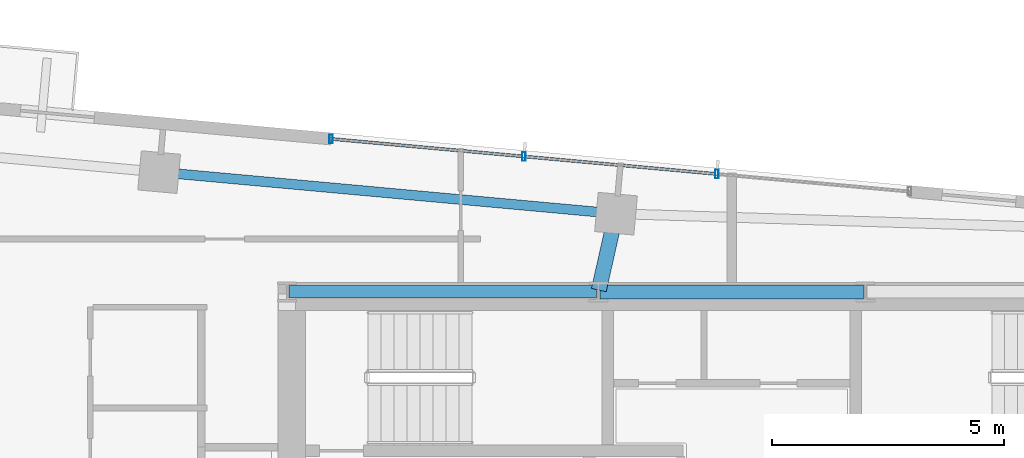
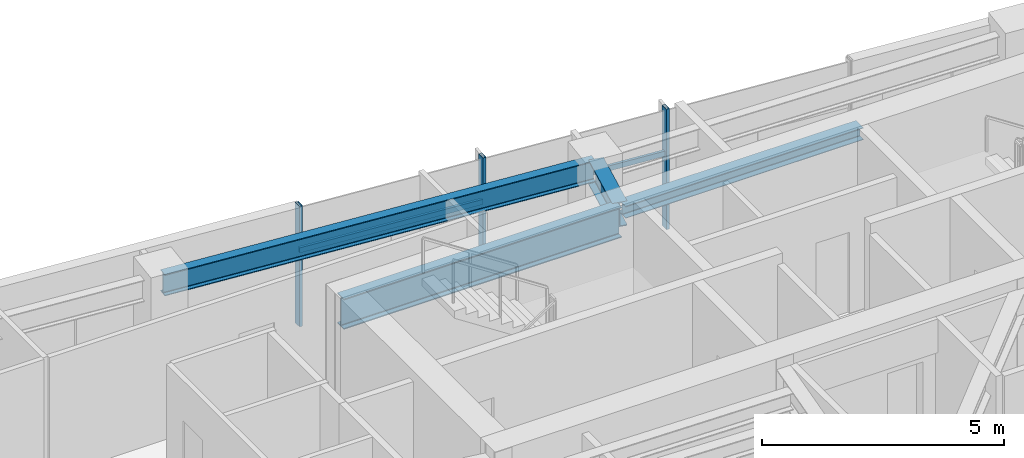
# One storey, part 10 of 22: 5 members, 4 beams, 1 element without a shape of its own.
"""IFC4 building model written with IfcOpenShell, lengths in metres."""

import ifcopenshell
import ifcopenshell.guid

model = None  # the IFC model being written
_history = None  # IfcOwnerHistory: only IFC2X3 demands one
_inside = {}  # id of a spatial element -> (the spatial element, [elements in it])
_under = {}  # id of a project, library or spatial element -> (it, [spatial elements below it])
_declared = {}  # id of a project -> (the project, [libraries it declares])
_typed = {}  # id of a type object -> (the type object, [elements of that type])
_made_of = {}  # id of a material, layer set ... -> (it, [elements and type objects made of it])


def new_model(schema):
    """Start an empty IFC model of exactly this schema.

    Asked for "IFC4X3", IfcOpenShell would pick the latest addendum, in which some entities
    have other attributes; the version numbers below select the first issue.
    IFC2X3 requires an IfcOwnerHistory on every rooted entity: one is made here for all.
    """
    global model, _history
    if schema == "IFC4X3":
        model = ifcopenshell.file(schema_version=(4, 3, 0, 0))
    else:
        model = ifcopenshell.file(schema=schema)
    _inside.clear()
    _under.clear()
    _declared.clear()
    _typed.clear()
    _made_of.clear()
    _history = None
    if model.schema == "IFC2X3":
        org = make("IfcOrganization", Name="unknown")
        user = make(
            "IfcPersonAndOrganization",
            ThePerson=make("IfcPerson", FamilyName="unknown"),
            TheOrganization=org,
        )
        app = make(
            "IfcApplication",
            ApplicationDeveloper=org,
            Version="unknown",
            ApplicationFullName="unknown",
            ApplicationIdentifier="unknown",
        )
        _history = make(
            "IfcOwnerHistory",
            OwningUser=user,
            OwningApplication=app,
            ChangeAction="ADDED",
            CreationDate=0,
        )
    return model


def make(cls, **values):
    """One entity of the class cls with the attributes given. An attribute that is None is left unset."""
    return model.create_entity(
        cls, **{name: value for name, value in values.items() if value is not None}
    )


def rooted(cls, **values):
    """An entity with a GlobalId (a new one), such as an element, a storey or a relation."""
    return make(cls, GlobalId=ifcopenshell.guid.new(), OwnerHistory=_history, **values)


def si_unit(unit_type, name, prefix=None):
    """IfcSIUnit, for example si_unit("LENGTHUNIT", "METRE", prefix="MILLI")."""
    return make("IfcSIUnit", UnitType=unit_type, Prefix=prefix, Name=name)


def assignment(units):
    """IfcUnitAssignment: the units of a project."""
    return None if units is None else make("IfcUnitAssignment", Units=units)


def point(xyz):
    """IfcCartesianPoint."""
    return None if xyz is None else make("IfcCartesianPoint", Coordinates=xyz)


def direction(xyz):
    """IfcDirection."""
    return None if xyz is None else make("IfcDirection", DirectionRatios=xyz)


def frame(location, z_axis=None, x_axis=None):
    """IfcAxis2Placement3D, a coordinate frame: its origin and axes. An axis left out is left unset."""
    return make(
        "IfcAxis2Placement3D",
        Location=point(location),
        Axis=direction(z_axis),
        RefDirection=direction(x_axis),
    )


def frame_2d(location, x_axis=None):
    """IfcAxis2Placement2D, a coordinate frame in the plane: its origin and x axis."""
    return make(
        "IfcAxis2Placement2D", Location=point(location), RefDirection=direction(x_axis)
    )


def origin():
    """The frame at (0, 0, 0) with its axes left unset."""
    return frame((0.0, 0.0, 0.0))


def origin_2d():
    """The frame at (0, 0) in the plane with its x axis left unset."""
    return frame_2d((0.0, 0.0))


def place(relative_to, where):
    """IfcLocalPlacement: puts the frame where relative to a parent placement (None: the world)."""
    return make(
        "IfcLocalPlacement", PlacementRelTo=relative_to, RelativePlacement=where
    )


def context(
    kind, dimensions, precision=None, world=None, true_north=None, identifier=None
):
    """IfcGeometricRepresentationContext, for example the 3D "Model" context."""
    return make(
        "IfcGeometricRepresentationContext",
        ContextIdentifier=identifier,
        ContextType=kind,
        CoordinateSpaceDimension=dimensions,
        Precision=precision,
        WorldCoordinateSystem=world,
        TrueNorth=true_north,
    )


def subcontext(parent, identifier, kind, view, scale=None):
    """IfcGeometricRepresentationSubContext, for example "Body" below "Model"."""
    return make(
        "IfcGeometricRepresentationSubContext",
        ContextIdentifier=identifier,
        ContextType=kind,
        ParentContext=parent,
        TargetScale=scale,
        TargetView=view,
    )


def project(units=None, contexts=None):
    """IfcProject with its units and contexts."""
    return rooted(
        "IfcProject",
        Name="project",
        RepresentationContexts=contexts,
        UnitsInContext=assignment(units),
    )


def spatial(cls, under=None, at=None, **own):
    """A site, building, storey or space (cls), placed at a placement, below another one or the project."""
    s = rooted(cls, ObjectPlacement=at, **own)
    if under is not None:
        _under.setdefault(under.id(), (under, []))[1].append(s)
    return s


def profile(cls, at=None, kind="AREA", **sizes):
    """A parametric profile (cls). Its sizes go by their IFC names, for example OverallWidth=200.0."""
    return make(cls, ProfileType=kind, Position=at, **sizes)


def hollow_rectangle(**sizes):
    """IfcRectangleHollowProfileDef."""
    return profile("IfcRectangleHollowProfileDef", **sizes)


def i_section(**sizes):
    """IfcIShapeProfileDef."""
    return profile("IfcIShapeProfileDef", **sizes)


def extrude(swept, where, along, depth):
    """IfcExtrudedAreaSolid: the profile swept, set in the frame where, extruded along a direction by depth."""
    return make(
        "IfcExtrudedAreaSolid",
        SweptArea=swept,
        Position=where,
        ExtrudedDirection=direction(along),
        Depth=depth,
    )


def shape(context_of_items, identifier, shape_type, items):
    """IfcShapeRepresentation: the items that make up one representation, for example the "Body"."""
    return make(
        "IfcShapeRepresentation",
        ContextOfItems=context_of_items,
        RepresentationIdentifier=identifier,
        RepresentationType=shape_type,
        Items=items,
    )


def source(mapping_origin, context_of_items, identifier, shape_type, items):
    """IfcRepresentationMap: a shape defined once, which mapped items show again and again."""
    return make(
        "IfcRepresentationMap",
        MappingOrigin=mapping_origin,
        MappedRepresentation=shape(context_of_items, identifier, shape_type, items),
    )


def transform(
    local_origin,
    x_axis=None,
    y_axis=None,
    z_axis=None,
    scale=None,
    scale2=None,
    scale3=None,
    uniform=True,
):
    """IfcCartesianTransformationOperator3D, or its non-uniform kind. x_axis, y_axis, z_axis: its Axis1, 2, 3."""
    if uniform:
        return make(
            "IfcCartesianTransformationOperator3D",
            Axis1=direction(x_axis),
            Axis2=direction(y_axis),
            LocalOrigin=point(local_origin),
            Scale=scale,
            Axis3=direction(z_axis),
        )
    return make(
        "IfcCartesianTransformationOperator3DnonUniform",
        Axis1=direction(x_axis),
        Axis2=direction(y_axis),
        LocalOrigin=point(local_origin),
        Scale=scale,
        Axis3=direction(z_axis),
        Scale2=scale2,
        Scale3=scale3,
    )


def mapped(mapping_source, mapping_target):
    """IfcMappedItem: shows the shape of a source again, moved by a transform."""
    return make(
        "IfcMappedItem", MappingSource=mapping_source, MappingTarget=mapping_target
    )


def material(Name=None, Category=None):
    """IfcMaterial."""
    return make("IfcMaterial", Name=Name, Category=Category)


def material_profile(
    of_material, cross_section, Name=None, Category=None, Priority=None
):
    """IfcMaterialProfile: a cross section and its material."""
    return make(
        "IfcMaterialProfile",
        Name=Name,
        Material=of_material,
        Profile=cross_section,
        Priority=Priority,
        Category=Category,
    )


def profile_set(profiles, Name=None, composite=None):
    """IfcMaterialProfileSet."""
    return make(
        "IfcMaterialProfileSet",
        Name=Name,
        MaterialProfiles=profiles,
        CompositeProfile=composite,
    )


def made_of(thing, what):
    """Note that an element or type object is made of a material, layer set ...; save() writes the relation."""
    if what is not None:
        _made_of.setdefault(what.id(), (what, []))[1].append(thing)
    return thing


def type_object(cls, material=None, **own):
    """A type object (cls), such as IfcWallType, which elements share."""
    return made_of(rooted(cls, **own), material)


def type_shapes(of_type, sources):
    """Give a type object the sources (RepresentationMaps) that its elements show as mapped items."""
    of_type.RepresentationMaps = sources


def element(
    cls,
    number,
    at=None,
    inside=None,
    cuts=None,
    type_object=None,
    material=None,
    context=None,
    identifier="Body",
    shape_type=None,
    held_by="IfcProductDefinitionShape",
    body=None,
    shapes=None,
    **own,
):
    """One element of the class cls, such as IfcWall. Its Tag is "e" and its number.

    at: its placement. inside: the storey or other place that contains it. cuts: it is an
    opening in that element (IfcRelVoidsElement). A single representation is given by context,
    identifier, shape_type and body (its items); several are given by shapes. held_by: the class
    of the entity that holds the representations. save() writes the other relations.
    """
    e = rooted(cls, Tag="e%d" % number, ObjectPlacement=at, **own)
    if body is not None:
        shapes = [shape(context, identifier, shape_type, body)]
    if shapes is not None:
        e.Representation = make(held_by, Representations=shapes)
    if inside is not None:
        _inside.setdefault(inside.id(), (inside, []))[1].append(e)
    if cuts is not None:
        rooted(
            "IfcRelVoidsElement", RelatingBuildingElement=cuts, RelatedOpeningElement=e
        )
    if type_object is not None:
        _typed.setdefault(type_object.id(), (type_object, []))[1].append(e)
    return made_of(e, material)


def aggregate(whole, parts):
    """IfcRelAggregates: a whole, such as a stair, and the parts it consists of."""
    return rooted("IfcRelAggregates", RelatingObject=whole, RelatedObjects=parts)


def save(model, path):
    """Write the relations noted so far, then the file.

    IfcRelAggregates (storeys below a building ...), IfcRelContainedInSpatialStructure (elements
    in a storey), IfcRelDefinesByType, IfcRelAssociatesMaterial and IfcRelDeclares: one each for
    every whole, place, type object, material and project.
    """
    for whole, parts in _under.values():
        aggregate(whole, parts)
    for where, things in _inside.values():
        rooted(
            "IfcRelContainedInSpatialStructure",
            RelatedElements=things,
            RelatingStructure=where,
        )
    for kind, things in _typed.values():
        rooted("IfcRelDefinesByType", RelatedObjects=things, RelatingType=kind)
    for what, things in _made_of.values():
        rooted("IfcRelAssociatesMaterial", RelatedObjects=things, RelatingMaterial=what)
    for by, libraries in _declared.values():
        rooted("IfcRelDeclares", RelatingContext=by, RelatedDefinitions=libraries)
    model.write(path)


model = new_model("IFC4")

# Units and contexts
model_context = context("Model", 3, precision=1e-05, world=origin(), true_north=direction((0.0, 1.0)))
body_context = subcontext(model_context, "Body", "Model", "MODEL_VIEW")
ifc_project = project(units=[si_unit("LENGTHUNIT", "METRE"), si_unit("AREAUNIT", "SQUARE_METRE"), si_unit("VOLUMEUNIT", "CUBIC_METRE"), si_unit("PLANEANGLEUNIT", "RADIAN"), si_unit("MASSUNIT", "GRAM", prefix="KILO")], contexts=[model_context])

# Site, building, storey
site_placement = place(None, origin())
site = spatial("IfcSite", under=ifc_project, at=site_placement, CompositionType="ELEMENT")
building_placement = place(site_placement, origin())
building = spatial("IfcBuilding", under=site, at=building_placement, Name="Astriad Promenade Condominiums", CompositionType="ELEMENT")
storey_placement = place(building_placement, frame((0.0, 0.0, 223.199951171875)))
storey = spatial("IfcBuildingStorey", under=building, at=storey_placement, Name="L64", CompositionType="ELEMENT", Elevation=223.199951171875)

# Beams
ifc_material_1 = material(Name="Steel ASTM A992 Grade 50", Category="steel")
ifc_material_profile_1 = material_profile(ifc_material_1, i_section(OverallWidth=0.267822265625, OverallDepth=0.76953125, WebThickness=0.015625, FlangeThickness=0.025390625, FilletRadius=0.021484375, at=origin_2d()), Name="W30X132")
ifc_profile_set_1 = profile_set([ifc_material_profile_1], Name="Steel ASTM A992 Grade 50")
beam_type_1 = type_object("IfcBeamType", Name="STEEL FLOOR GIRDER W30X132", PredefinedType="BEAM", material=ifc_profile_set_1)
shared_shape_1 = source(origin(), body_context, "Body", "SweptSolid", [
    extrude(i_section(OverallWidth=0.267822265625, OverallDepth=0.76953125, WebThickness=0.015625, FlangeThickness=0.025390625, FilletRadius=0.021484375, at=origin_2d()), origin(), (0.0, 0.0, 1.0), 6.64013671875),
])
type_shapes(beam_type_1, [shared_shape_1])
beam_1_placement = place(storey_placement, frame((26.43994140625, 24.0, 2.6552734375), z_axis=(1.0, 0.0, 0.0), x_axis=(0.0, 1.0, 0.0)))
element("IfcBeam", 1, at=beam_1_placement, inside=storey, type_object=beam_type_1, Name="Core Ring Beam CG-N1-L64", PredefinedType="BEAM", context=body_context, shape_type="MappedRepresentation", body=[
    mapped(shared_shape_1, transform((0.0, 0.0, 0.0), scale=1.0)),
])
ifc_material_profile_2 = material_profile(ifc_material_1, i_section(OverallWidth=0.3046875, OverallDepth=0.307861328125, WebThickness=0.010009765625, FlangeThickness=0.015380859375, FilletRadius=0.01513671875, at=origin_2d()), Name="W12X65")
ifc_profile_set_2 = profile_set([ifc_material_profile_2], Name="Steel ASTM A992 Grade 50")
beam_type_2 = type_object("IfcBeamType", Name="STEEL OPENING LINTEL W12X65", PredefinedType="LINTEL", material=ifc_profile_set_2)
shared_shape_2 = source(origin(), body_context, "Body", "SweptSolid", [
    extrude(i_section(OverallWidth=0.3046875, OverallDepth=0.307861328125, WebThickness=0.010009765625, FlangeThickness=0.015380859375, FilletRadius=0.01513671875, at=origin_2d()), origin(), (0.0, 0.0, 1.0), 5.68017578125),
])
type_shapes(beam_type_2, [shared_shape_2])
beam_2_placement = place(storey_placement, frame((33.159912109375, 24.0, 2.88623046875), z_axis=(1.0, 0.0, 0.0), x_axis=(0.0, 1.0, 0.0)))
element("IfcBeam", 2, at=beam_2_placement, inside=storey, type_object=beam_type_2, Name="Core Ring Beam CG-N2-L64", PredefinedType="LINTEL", context=body_context, shape_type="MappedRepresentation", body=[
    mapped(shared_shape_2, transform((0.0, 0.0, 0.0), scale=1.0)),
])
ifc_material_profile_3 = material_profile(ifc_material_1, i_section(OverallWidth=0.210693359375, OverallDepth=0.53955078125, WebThickness=0.01171875, FlangeThickness=0.018798828125, FilletRadius=0.0166015625, at=origin_2d()), Name="W21X73")
ifc_profile_set_3 = profile_set([ifc_material_profile_3], Name="Steel ASTM A992 Grade 50")
beam_type_3 = type_object("IfcBeamType", Name="STEEL SPANDREL BEAM W21X73", PredefinedType="SPANDREL", material=ifc_profile_set_3)
shared_shape_3 = source(origin(), body_context, "Body", "SweptSolid", [
    extrude(i_section(OverallWidth=0.210693359375, OverallDepth=0.53955078125, WebThickness=0.01171875, FlangeThickness=0.018798828125, FilletRadius=0.0166015625, at=origin_2d()), origin(), (0.0, 0.0, 1.0), 9.820068359375),
])
type_shapes(beam_type_3, [shared_shape_3])
beam_3_placement = place(storey_placement, frame((33.4599609375, 25.69189453125, 2.770263671875), z_axis=(-0.995885663174, 0.090618683965, 0.0), x_axis=(-0.090618683965, -0.995885663174, 0.0)))
element("IfcBeam", 3, at=beam_3_placement, inside=storey, type_object=beam_type_3, Name="Perimeter Spandrel Beam SP-N2-L64", PredefinedType="SPANDREL", context=body_context, shape_type="MappedRepresentation", body=[
    mapped(shared_shape_3, transform((0.0, 0.0, 0.0), scale=1.0)),
])
ifc_material_profile_4 = material_profile(ifc_material_1, i_section(OverallWidth=0.326416015625, OverallDepth=0.621826171875, WebThickness=0.015380859375, FlangeThickness=0.0244140625, FilletRadius=0.017822265625, at=origin_2d()), Name="W24X131")
ifc_profile_set_4 = profile_set([ifc_material_profile_4], Name="Steel ASTM A992 Grade 50")
beam_type_4 = type_object("IfcBeamType", Name="STEEL FLOOR GIRDER W24X131", PredefinedType="BEAM", material=ifc_profile_set_4)
shared_shape_4 = source(origin(), body_context, "Body", "SweptSolid", [
    extrude(i_section(OverallWidth=0.326416015625, OverallDepth=0.621826171875, WebThickness=0.015380859375, FlangeThickness=0.0244140625, FilletRadius=0.017822265625, at=origin_2d()), origin(), (0.0, 0.0, 1.0), 1.650390625),
])
type_shapes(beam_type_4, [shared_shape_4])
beam_4_placement = place(storey_placement, frame((33.490966796875, 25.649169921875, 2.729248046875), z_axis=(-0.219388986766, -0.975637469804, 0.0), x_axis=(0.975637469804, -0.219388986766, 0.0)))
element("IfcBeam", 4, at=beam_4_placement, inside=storey, type_object=beam_type_4, Name="Primary Floor Girder PG-NC-L64", PredefinedType="BEAM", context=body_context, shape_type="MappedRepresentation", body=[
    mapped(shared_shape_4, transform((0.0, 0.0, 0.0), scale=1.0)),
])

# Curtain wall, members
ifc_material_2 = material(Name="Anodised aluminium Black Dark Glass Unitised", Category="aluminium")
curtain_wall_type = type_object("IfcCurtainWallType", Name="CW-B5-DARK", PredefinedType="USERDEFINED", material=ifc_material_2)
curtain_wall_placement = place(storey_placement, origin())
curtain_wall = element("IfcCurtainWall", 5, at=curtain_wall_placement, inside=storey, type_object=curtain_wall_type, Name="CW-L64-N", ObjectType="UNITISED_CURTAIN_WALL", PredefinedType="USERDEFINED")
ifc_material_3 = material(Name="Anodised aluminium 6063-T6 Black", Category="aluminium")
ifc_material_profile_5 = material_profile(ifc_material_3, hollow_rectangle(XDim=0.06494140625, YDim=0.1298828125, WallThickness=0.00390625, at=origin_2d()), Name="ALU-TRN-65X130")
ifc_profile_set_5 = profile_set([ifc_material_profile_5], Name="Anodised aluminium 6063-T6 Black")
member_type_1 = type_object("IfcMemberType", Name="TRN-ALU-TRN-65X130", PredefinedType="USERDEFINED", material=ifc_profile_set_5)
shared_shape_5 = source(origin(), body_context, "Body", "SweptSolid", [
    extrude(hollow_rectangle(XDim=0.06494140625, YDim=0.1298828125, WallThickness=0.00390625, at=origin_2d()), origin(), (0.0, 0.0, 1.0), 4.179931640625),
])
type_shapes(member_type_1, [shared_shape_5])
member_1_placement = place(storey_placement, frame((27.3505859375, 27.30224609375, 1.884765625), z_axis=(0.995883146811, -0.090646334165, 0.0), x_axis=(0.090646334165, 0.995883146811, 0.0)))
member_1 = element("IfcMember", 6, at=member_1_placement, type_object=member_type_1, Name="CW-L64-N-TRN-00-0", ObjectType="TRANSOM", PredefinedType="USERDEFINED", context=body_context, shape_type="MappedRepresentation", body=[
    mapped(shared_shape_5, transform((0.0, 0.0, 0.0), scale=1.0)),
])
member_2_placement = place(storey_placement, frame((31.513427734375, 26.92333984375, 1.884765625), z_axis=(0.995883146811, -0.090646334165, 0.0), x_axis=(0.090646334165, 0.995883146811, 0.0)))
member_2 = element("IfcMember", 7, at=member_2_placement, type_object=member_type_1, Name="CW-L64-N-TRN-01-0", ObjectType="TRANSOM", PredefinedType="USERDEFINED", context=body_context, shape_type="MappedRepresentation", body=[
    mapped(shared_shape_5, transform((0.0, 0.0, 0.0), scale=1.0)),
])
ifc_material_profile_6 = material_profile(ifc_material_3, hollow_rectangle(XDim=0.074951171875, YDim=0.18505859375, WallThickness=0.00439453125, at=origin_2d()), Name="ALU-MUL-75X185")
ifc_profile_set_6 = profile_set([ifc_material_profile_6], Name="Anodised aluminium 6063-T6 Black")
member_type_2 = type_object("IfcMemberType", Name="MUL-ALU-MUL-75X185", PredefinedType="MULLION", material=ifc_profile_set_6)
shared_shape_6 = source(origin(), body_context, "Body", "SweptSolid", [
    extrude(hollow_rectangle(XDim=0.074951171875, YDim=0.18505859375, WallThickness=0.00439453125, at=origin_2d()), origin(), (0.0, 0.0, 1.0), 3.0400390625),
])
type_shapes(member_type_2, [shared_shape_6])
member_3_placement = place(storey_placement, frame((27.3505859375, 27.30224609375, 0.0), z_axis=(0.0, 0.0, 1.0), x_axis=(1.0, 0.0, 0.0)))
member_3 = element("IfcMember", 8, at=member_3_placement, type_object=member_type_2, Name="CW-L64-N-MUL-00", PredefinedType="MULLION", context=body_context, shape_type="MappedRepresentation", body=[
    mapped(shared_shape_6, transform((0.0, 0.0, 0.0), scale=1.0)),
])
member_4_placement = place(storey_placement, frame((31.513427734375, 26.92333984375, 0.0), z_axis=(0.0, 0.0, 1.0), x_axis=(1.0, 0.0, 0.0)))
member_4 = element("IfcMember", 9, at=member_4_placement, type_object=member_type_2, Name="CW-L64-N-MUL-01", PredefinedType="MULLION", context=body_context, shape_type="MappedRepresentation", body=[
    mapped(shared_shape_6, transform((0.0, 0.0, 0.0), scale=1.0)),
])
member_5_placement = place(storey_placement, frame((35.67626953125, 26.54443359375, 0.0), z_axis=(0.0, 0.0, 1.0), x_axis=(1.0, 0.0, 0.0)))
member_5 = element("IfcMember", 10, at=member_5_placement, type_object=member_type_2, Name="CW-L64-N-MUL-02", PredefinedType="MULLION", context=body_context, shape_type="MappedRepresentation", body=[
    mapped(shared_shape_6, transform((0.0, 0.0, 0.0), scale=1.0)),
])
aggregate(curtain_wall, [member_3, member_4, member_5, member_1, member_2])

save(model, "model.ifc")
